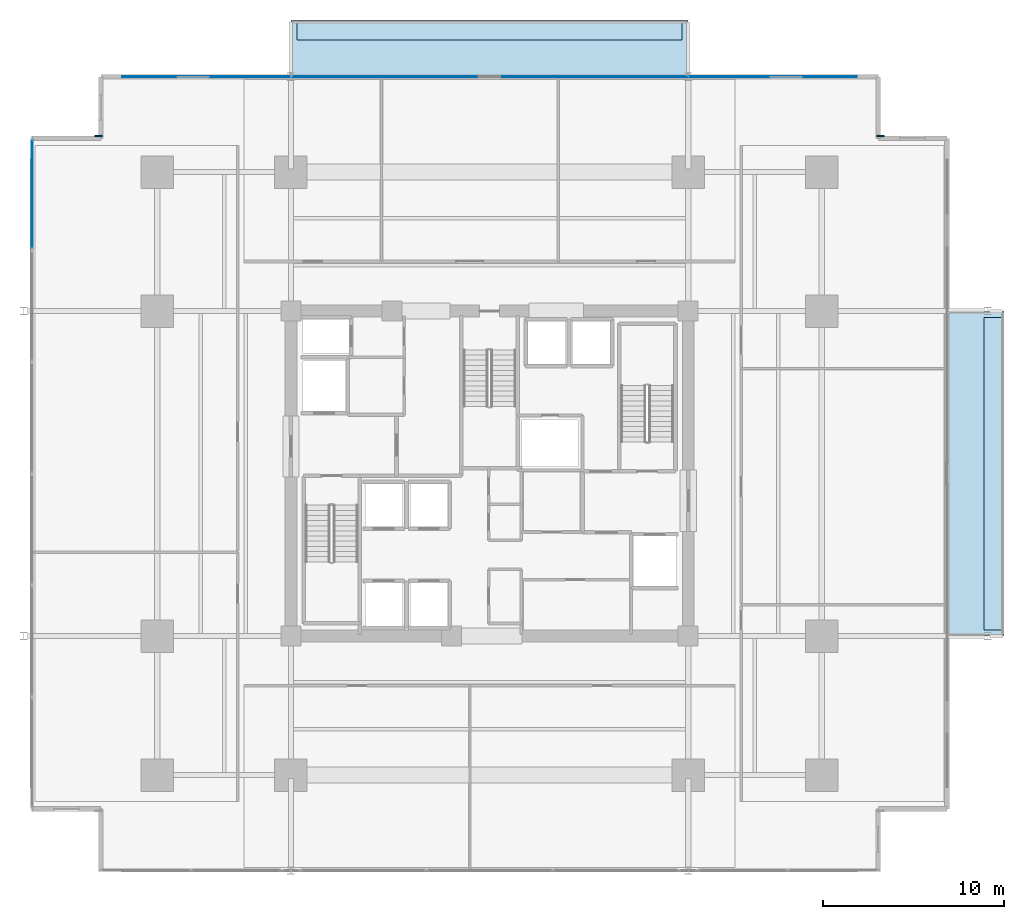
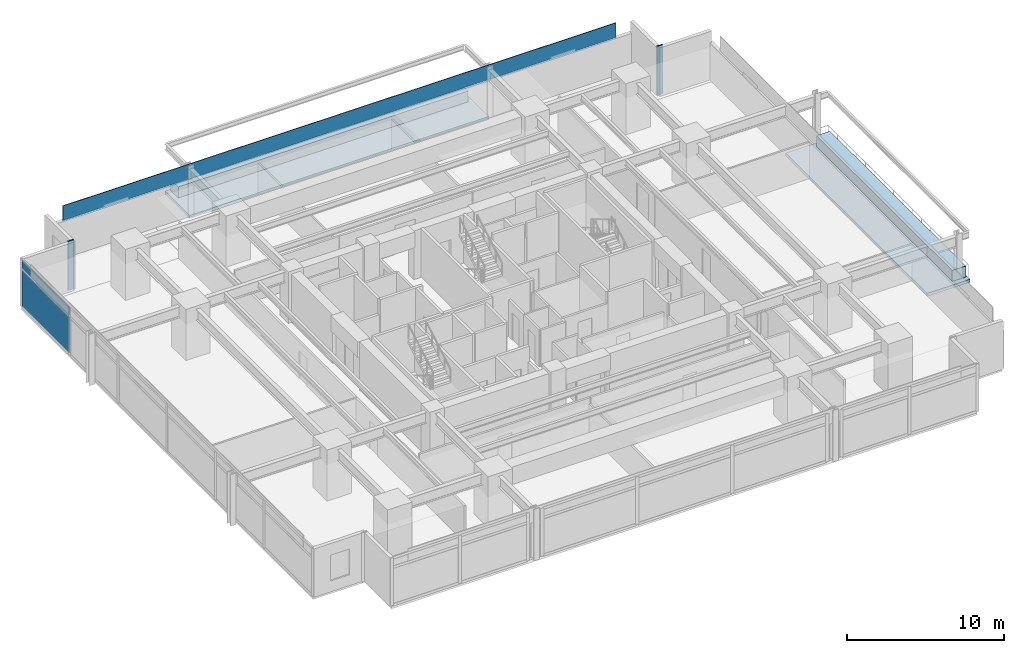
# One storey, part 14 of 22: 5 plates, 4 slabs, 1 element without a shape of its own.
"""IFC4 building model written with IfcOpenShell, lengths in metres."""

from ifc_helpers import new_model, si_unit, direction, frame, origin, origin_2d, place, context, subcontext, project, spatial, polyline, rectangle, outline, extrude, material, layer, layer_set, type_object, element, aggregate, save


model = new_model("IFC4")

# Units and contexts
model_context = context("Model", 3, precision=1e-05, world=origin(), true_north=direction((0.0, 1.0)))
body_context = subcontext(model_context, "Body", "Model", "MODEL_VIEW")
ifc_project = project(units=[si_unit("LENGTHUNIT", "METRE"), si_unit("AREAUNIT", "SQUARE_METRE"), si_unit("VOLUMEUNIT", "CUBIC_METRE"), si_unit("PLANEANGLEUNIT", "RADIAN"), si_unit("MASSUNIT", "GRAM", prefix="KILO")], contexts=[model_context])

# Site, building, storey
site_placement = place(None, origin())
site = spatial("IfcSite", under=ifc_project, at=site_placement, CompositionType="ELEMENT")
building_placement = place(site_placement, origin())
building = spatial("IfcBuilding", under=site, at=building_placement, Name="Kovane Verandah Tower", CompositionType="ELEMENT")
storey_placement = place(building_placement, frame((0.0, 0.0, 43.60009765625)))
storey = spatial("IfcBuildingStorey", under=building, at=storey_placement, Name="L09", CompositionType="ELEMENT", Elevation=43.60009765625)

# Curtain wall, plates
ifc_material_1 = material(Name="Champagne Anodised Aluminium Frame with Low-E Clear Laminated Glass", Category="aluminium")
curtain_wall_type = type_object("IfcCurtainWallType", Name="CW-SYS-02-LOW", PredefinedType="NOTDEFINED", material=ifc_material_1)
curtain_wall_placement = place(storey_placement, origin())
curtain_wall = element("IfcCurtainWall", 1, at=curtain_wall_placement, inside=storey, type_object=curtain_wall_type, Name="L09 W Unitised Curtain Wall", PredefinedType="NOTDEFINED")
ifc_material_2 = material(Name="Pale Champagne Anodised Aluminium Insulated Spandrel", Category="aluminium")
ifc_layer_1 = layer(ifc_material_2, 0.0400390625)
ifc_layer_set_1 = layer_set([ifc_layer_1], Name="Pale Champagne Anodised Aluminium Insulated Spandrel")
plate_type_1 = type_object("IfcPlateType", Name="PL-CW-SPD-40", PredefinedType="SHEET", material=ifc_layer_set_1)
plate_1_placement = place(storey_placement, frame((14.6669921875, 42.9775390625, 3.02978515625), z_axis=(0.0, 0.0, 1.0), x_axis=(0.0, -1.0, 0.0)))
plate_1 = element("IfcPlate", 2, at=plate_1_placement, type_object=plate_type_1, Name="L09 W Unitised Curtain Wall Spandrel Panel 1", PredefinedType="SHEET", context=body_context, shape_type="SweptSolid", body=[
    extrude(rectangle(XDim=6.051025390625, YDim=0.0400390625, at=origin_2d()), origin(), (0.0, 0.0, 1.0), 0.639892578125),
])
ifc_material_3 = material(Name="Clear Low-E Laminated Double Glazing", Category="glass")
ifc_layer_2 = layer(ifc_material_3, 0.031982421875)
ifc_layer_set_2 = layer_set([ifc_layer_2], Name="Clear Low-E Laminated Double Glazing")
plate_type_2 = type_object("IfcPlateType", Name="PL-CW-VIS-32", PredefinedType="CURTAIN_PANEL", material=ifc_layer_set_2)
plate_2_placement = place(storey_placement, frame((14.6669921875, 42.9775390625, 0.099853515625), z_axis=(0.0, 0.0, 1.0), x_axis=(0.0, -1.0, 0.0)))
plate_2 = element("IfcPlate", 3, at=plate_2_placement, type_object=plate_type_2, Name="L09 W Unitised Curtain Wall Vision Panel 1", PredefinedType="CURTAIN_PANEL", context=body_context, shape_type="SweptSolid", body=[
    extrude(rectangle(XDim=6.051025390625, YDim=0.031982421875, at=origin_2d()), origin(), (0.0, 0.0, 1.0), 2.830078125),
])
aggregate(curtain_wall, [plate_2, plate_1])

# Plates
ifc_material_4 = material(Name="Timber-Toned Subtropical Aluminium Vertical Blade", Category="wood")
ifc_layer_3 = layer(ifc_material_4, 0.090087890625)
ifc_layer_set_3 = layer_set([ifc_layer_3], Name="Timber-Toned Subtropical Aluminium Vertical Blade")
plate_type_3 = type_object("IfcPlateType", Name="PL-FIN-90", PredefinedType="USERDEFINED", material=ifc_layer_set_3)
for number, where, z_axis, x_axis, name in (
    (4, (61.653076171875, 46.193115234375, -0.02001953125), (0.0, 0.0, 1.0), (1.0, 0.0, 0.0), "L09 NE Timber-Toned Vertical Corner Fin"),
    (5, (18.346923828125, 46.193115234375, -0.02001953125), (0.0, 0.0, 1.0), (1.0, 0.0, 0.0), "L09 NW Timber-Toned Vertical Corner Fin"),
):
    element("IfcPlate", number, at=place(storey_placement, frame(where, z_axis=z_axis, x_axis=x_axis)), inside=storey, type_object=plate_type_3, Name=name, ObjectType="FIN", PredefinedType="USERDEFINED", context=body_context, shape_type="SweptSolid", body=[
        extrude(rectangle(XDim=0.419921875, YDim=0.090087890625, at=origin_2d()), origin(), (0.0, 0.0, 1.0), 3.820068359375),
    ])
ifc_material_5 = material(Name="Perforated Pale Champagne Anodised Aluminium Solar Screen", Category="aluminium")
ifc_layer_4 = layer(ifc_material_5, 0.050048828125)
ifc_layer_set_4 = layer_set([ifc_layer_4], Name="Perforated Pale Champagne Anodised Aluminium Solar Screen")
plate_type_4 = type_object("IfcPlateType", Name="PL-SCREEN-50", PredefinedType="USERDEFINED", material=ifc_layer_set_4)
plate_3_placement = place(storey_placement, frame((40.0, 49.488037109375, 2.85986328125), z_axis=(0.0, 0.0, 1.0), x_axis=(-1.0, 0.0, 0.0)))
element("IfcPlate", 6, at=plate_3_placement, inside=storey, type_object=plate_type_4, Name="L09 N Perforated Champagne-Gold Solar Screen", ObjectType="SCREEN", PredefinedType="USERDEFINED", context=body_context, shape_type="SweptSolid", body=[
    extrude(rectangle(XDim=40.666015625, YDim=0.050048828125, at=origin_2d()), origin(), (0.0, 0.0, 1.0), 1.14990234375),
])

# Slabs
ifc_material_6 = material(Name="Concrete C45/55", Category="concrete")
ifc_layer_5 = layer(ifc_material_6, 0.239990234375)
ifc_layer_set_5 = layer_set([ifc_layer_5], Name="Concrete C45/55")
slab_type_1 = type_object("IfcSlabType", Name="SL-BALC-240", PredefinedType="FLOOR", material=ifc_layer_set_5)
slab_1_placement = place(storey_placement, frame((0.0, 0.0, -0.239990234375)))
element("IfcSlab", 7, at=slab_1_placement, inside=storey, type_object=slab_type_1, Name="L09 N Planted Verandah Balcony Slab", PredefinedType="FLOOR", context=body_context, shape_type="SweptSolid", body=[
    extrude(outline(polyline([(29.0, 49.47314453125), (51.0, 49.47314453125), (51.0, 52.623046875), (29.0, 52.623046875), (29.0, 49.47314453125)])), origin(), (0.0, 0.0, 1.0), 0.239990234375),
])
slab_2_placement = place(storey_placement, frame((0.0, 0.0, -0.239990234375)))
element("IfcSlab", 8, at=slab_2_placement, inside=storey, type_object=slab_type_1, Name="L09 E Planted Verandah Balcony Slab", PredefinedType="FLOOR", context=body_context, shape_type="SweptSolid", body=[
    extrude(outline(polyline([(65.3330078125, 18.5), (68.48291015625, 18.5), (68.48291015625, 36.5), (65.3330078125, 36.5), (65.3330078125, 18.5)])), origin(), (0.0, 0.0, 1.0), 0.239990234375),
])
ifc_material_7 = material(Name="Architectural Precast Concrete C45/55 Planter Trough", Category="concrete")
ifc_layer_6 = layer(ifc_material_7, 0.219970703125)
ifc_layer_set_6 = layer_set([ifc_layer_6], Name="Architectural Precast Concrete C45/55 Planter Trough")
slab_type_2 = type_object("IfcSlabType", Name="SL-PLANTER-220", PredefinedType="USERDEFINED", material=ifc_layer_set_6)
slab_3_placement = place(storey_placement, origin())
element("IfcSlab", 9, at=slab_3_placement, inside=storey, type_object=slab_type_2, Name="L09 N Structural Tree Planter", ObjectType="PLANTER", PredefinedType="USERDEFINED", context=body_context, shape_type="SweptSolid", body=[
    extrude(outline(polyline([(29.35009765625, 51.523193359375), (50.64990234375, 51.523193359375), (50.64990234375, 52.523193359375), (29.35009765625, 52.523193359375), (29.35009765625, 51.523193359375)])), origin(), (0.0, 0.0, 1.0), 0.849853515625),
])
slab_4_placement = place(storey_placement, origin())
element("IfcSlab", 10, at=slab_4_placement, inside=storey, type_object=slab_type_2, Name="L09 E Structural Tree Planter", ObjectType="PLANTER", PredefinedType="USERDEFINED", context=body_context, shape_type="SweptSolid", body=[
    extrude(outline(polyline([(67.383056640625, 18.85009765625), (68.383056640625, 18.85009765625), (68.383056640625, 36.14990234375), (67.383056640625, 36.14990234375), (67.383056640625, 18.85009765625)])), origin(), (0.0, 0.0, 1.0), 0.849853515625),
])

save(model, "model.ifc")
